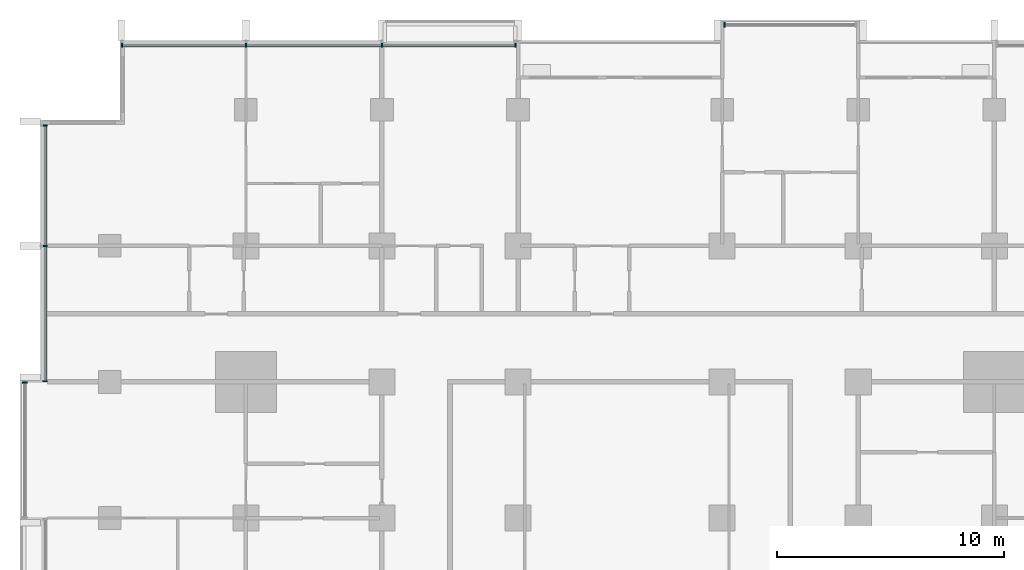
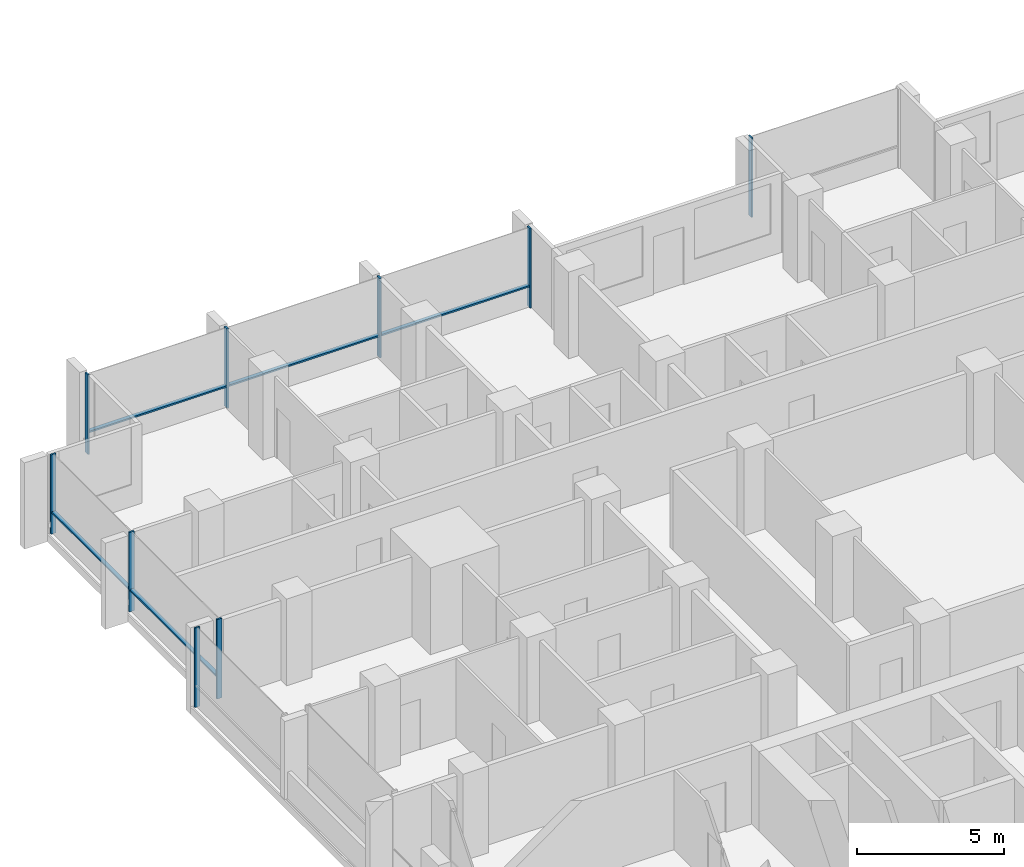
# One storey, part 4 of 19: 14 members, 4 elements without a shape of their own.
"""IFC4 building model written with IfcOpenShell, lengths in metres."""

from ifc_helpers import new_model, si_unit, direction, frame, origin, origin_2d, place, context, subcontext, project, spatial, rectangle, extrude, material, material_profile, profile_set, type_object, element, aggregate, save


model = new_model("IFC4")

# Units and contexts
model_context = context("Model", 3, precision=1e-05, world=origin(), true_north=direction((0.0, 1.0)))
body_context = subcontext(model_context, "Body", "Model", "MODEL_VIEW")
ifc_project = project(units=[si_unit("LENGTHUNIT", "METRE"), si_unit("AREAUNIT", "SQUARE_METRE"), si_unit("VOLUMEUNIT", "CUBIC_METRE"), si_unit("PLANEANGLEUNIT", "RADIAN"), si_unit("MASSUNIT", "GRAM", prefix="KILO")], contexts=[model_context])

# Site, building, storey
site_placement = place(None, origin())
site = spatial("IfcSite", under=ifc_project, at=site_placement, CompositionType="ELEMENT")
building_placement = place(site_placement, origin())
building = spatial("IfcBuilding", under=site, at=building_placement, Name="Finial Court Residences", CompositionType="ELEMENT")
storey_placement = place(building_placement, frame((0.0, 0.0, 88.300048828125)))
storey = spatial("IfcBuildingStorey", under=building, at=storey_placement, Name="L21", CompositionType="ELEMENT", Elevation=88.300048828125)

# Curtain wall, members
ifc_material = material(Name="Bronze anodised aluminium", Category="aluminium")
curtain_wall_type = type_object("IfcCurtainWallType", Name="Unitised curtain wall, lower and middle zones", PredefinedType="NOTDEFINED", material=ifc_material)
curtain_wall_1_placement = place(storey_placement, origin())
curtain_wall_1 = element("IfcCurtainWall", 1, at=curtain_wall_1_placement, inside=storey, type_object=curtain_wall_type, Name="E-L21-CW-N1", PredefinedType="NOTDEFINED")
ifc_material_profile_1 = material_profile(ifc_material, rectangle(XDim=0.199951171875, YDim=0.06494140625, at=origin_2d()), Name="CW1 mullion 65 x 200")
ifc_profile_set_1 = profile_set([ifc_material_profile_1], Name="Bronze anodised aluminium")
member_type_1 = type_object("IfcMemberType", Name="CW1 mullion 65 x 200", PredefinedType="MULLION", material=ifc_profile_set_1)
member_1_placement = place(storey_placement, frame((-21.967529296875, 22.35009765625, 0.0), z_axis=(0.0, 0.0, 1.0), x_axis=(0.0, 1.0, 0.0)))
member_1 = element("IfcMember", 2, at=member_1_placement, type_object=member_type_1, Name="CW1 mullion 1", PredefinedType="MULLION", context=body_context, shape_type="SweptSolid", body=[
    extrude(rectangle(XDim=0.199951171875, YDim=0.06494140625, at=origin_2d()), origin(), (0.0, 0.0, 1.0), 3.300048828125),
])
member_2_placement = place(storey_placement, frame((-16.5, 22.35009765625, 0.0), z_axis=(0.0, 0.0, 1.0), x_axis=(0.0, 1.0, 0.0)))
member_2 = element("IfcMember", 3, at=member_2_placement, type_object=member_type_1, Name="CW1 mullion 2", PredefinedType="MULLION", context=body_context, shape_type="SweptSolid", body=[
    extrude(rectangle(XDim=0.199951171875, YDim=0.06494140625, at=origin_2d()), origin(), (0.0, 0.0, 1.0), 3.300048828125),
])
member_3_placement = place(storey_placement, frame((-10.5, 22.35009765625, 0.0), z_axis=(0.0, 0.0, 1.0), x_axis=(0.0, 1.0, 0.0)))
member_3 = element("IfcMember", 4, at=member_3_placement, type_object=member_type_1, Name="CW1 mullion 3", PredefinedType="MULLION", context=body_context, shape_type="SweptSolid", body=[
    extrude(rectangle(XDim=0.199951171875, YDim=0.06494140625, at=origin_2d()), origin(), (0.0, 0.0, 1.0), 3.300048828125),
])
member_4_placement = place(storey_placement, frame((-4.607421875, 22.35009765625, 0.0), z_axis=(0.0, 0.0, 1.0), x_axis=(0.0, 1.0, 0.0)))
member_4 = element("IfcMember", 5, at=member_4_placement, type_object=member_type_1, Name="CW1 mullion 4", PredefinedType="MULLION", context=body_context, shape_type="SweptSolid", body=[
    extrude(rectangle(XDim=0.199951171875, YDim=0.06494140625, at=origin_2d()), origin(), (0.0, 0.0, 1.0), 3.300048828125),
])

# Curtain wall, member
curtain_wall_2_placement = place(storey_placement, origin())
curtain_wall_2 = element("IfcCurtainWall", 6, at=curtain_wall_2_placement, inside=storey, type_object=curtain_wall_type, Name="E-L21-CW-N2", PredefinedType="NOTDEFINED")
member_5_placement = place(storey_placement, frame((4.607421875, 23.25, 0.0), z_axis=(0.0, 0.0, 1.0), x_axis=(0.0, 1.0, 0.0)))
member_5 = element("IfcMember", 7, at=member_5_placement, type_object=member_type_1, Name="CW1 mullion 1", PredefinedType="MULLION", context=body_context, shape_type="SweptSolid", body=[
    extrude(rectangle(XDim=0.199951171875, YDim=0.06494140625, at=origin_2d()), origin(), (0.0, 0.0, 1.0), 3.300048828125),
])
aggregate(curtain_wall_2, [member_5])

curtain_wall_3_placement = place(storey_placement, origin())
curtain_wall_3 = element("IfcCurtainWall", 8, at=curtain_wall_3_placement, inside=storey, type_object=curtain_wall_type, Name="E-L21-CW-W12", PredefinedType="NOTDEFINED")
member_6_placement = place(storey_placement, frame((-26.25, 7.467529296875, 0.0), z_axis=(0.0, 0.0, 1.0), x_axis=(-1.0, 0.0, 0.0)))
member_6 = element("IfcMember", 9, at=member_6_placement, type_object=member_type_1, Name="CW1 mullion 2", PredefinedType="MULLION", context=body_context, shape_type="SweptSolid", body=[
    extrude(rectangle(XDim=0.199951171875, YDim=0.06494140625, at=origin_2d()), origin(), (0.0, 0.0, 1.0), 3.300048828125),
])
aggregate(curtain_wall_3, [member_6])

# Curtain wall, members
curtain_wall_4_placement = place(storey_placement, origin())
curtain_wall_4 = element("IfcCurtainWall", 10, at=curtain_wall_4_placement, inside=storey, type_object=curtain_wall_type, Name="E-L21-CW-W13", PredefinedType="NOTDEFINED")
member_7_placement = place(storey_placement, frame((-25.35009765625, 7.532470703125, 0.0), z_axis=(0.0, 0.0, 1.0), x_axis=(-1.0, 0.0, 0.0)))
member_7 = element("IfcMember", 11, at=member_7_placement, type_object=member_type_1, Name="CW1 mullion 1", PredefinedType="MULLION", context=body_context, shape_type="SweptSolid", body=[
    extrude(rectangle(XDim=0.199951171875, YDim=0.06494140625, at=origin_2d()), origin(), (0.0, 0.0, 1.0), 3.300048828125),
])
member_8_placement = place(storey_placement, frame((-25.35009765625, 13.5, 0.0), z_axis=(0.0, 0.0, 1.0), x_axis=(-1.0, 0.0, 0.0)))
member_8 = element("IfcMember", 12, at=member_8_placement, type_object=member_type_1, Name="CW1 mullion 2", PredefinedType="MULLION", context=body_context, shape_type="SweptSolid", body=[
    extrude(rectangle(XDim=0.199951171875, YDim=0.06494140625, at=origin_2d()), origin(), (0.0, 0.0, 1.0), 3.300048828125),
])
member_9_placement = place(storey_placement, frame((-25.35009765625, 18.8173828125, 0.0), z_axis=(0.0, 0.0, 1.0), x_axis=(-1.0, 0.0, 0.0)))
member_9 = element("IfcMember", 13, at=member_9_placement, type_object=member_type_1, Name="CW1 mullion 3", PredefinedType="MULLION", context=body_context, shape_type="SweptSolid", body=[
    extrude(rectangle(XDim=0.199951171875, YDim=0.06494140625, at=origin_2d()), origin(), (0.0, 0.0, 1.0), 3.300048828125),
])

# Member
ifc_material_profile_2 = material_profile(ifc_material, rectangle(XDim=0.14990234375, YDim=0.06494140625, at=origin_2d()), Name="CW1 transom 65 x 150")
ifc_profile_set_2 = profile_set([ifc_material_profile_2], Name="Bronze anodised aluminium")
member_type_2 = type_object("IfcMemberType", Name="CW1 transom 65 x 150", PredefinedType="USERDEFINED", material=ifc_profile_set_2)
member_10_placement = place(storey_placement, frame((-21.93505859375, 22.35009765625, 0.89990234375), z_axis=(1.0, 0.0, 0.0), x_axis=(0.0, 1.0, 0.0)))
member_10 = element("IfcMember", 14, at=member_10_placement, type_object=member_type_2, Name="CW1 transom 1.1", ObjectType="TRANSOM", PredefinedType="USERDEFINED", context=body_context, shape_type="SweptSolid", body=[
    extrude(rectangle(XDim=0.14990234375, YDim=0.06494140625, at=origin_2d()), origin(), (0.0, 0.0, 1.0), 5.402587890625),
])

member_11_placement = place(storey_placement, frame((-16.467529296875, 22.35009765625, 0.89990234375), z_axis=(1.0, 0.0, 0.0), x_axis=(0.0, 1.0, 0.0)))
member_11 = element("IfcMember", 15, at=member_11_placement, type_object=member_type_2, Name="CW1 transom 2.1", ObjectType="TRANSOM", PredefinedType="USERDEFINED", context=body_context, shape_type="SweptSolid", body=[
    extrude(rectangle(XDim=0.14990234375, YDim=0.06494140625, at=origin_2d()), origin(), (0.0, 0.0, 1.0), 5.93505859375),
])

member_12_placement = place(storey_placement, frame((-10.467529296875, 22.35009765625, 0.89990234375), z_axis=(1.0, 0.0, 0.0), x_axis=(0.0, 1.0, 0.0)))
member_12 = element("IfcMember", 16, at=member_12_placement, type_object=member_type_2, Name="CW1 transom 3.1", ObjectType="TRANSOM", PredefinedType="USERDEFINED", context=body_context, shape_type="SweptSolid", body=[
    extrude(rectangle(XDim=0.14990234375, YDim=0.06494140625, at=origin_2d()), origin(), (0.0, 0.0, 1.0), 5.82763671875),
])

aggregate(curtain_wall_1, [member_1, member_2, member_3, member_4, member_10, member_11, member_12])

member_13_placement = place(storey_placement, frame((-25.35009765625, 7.56494140625, 0.89990234375), z_axis=(0.0, 1.0, 0.0), x_axis=(-1.0, 0.0, 0.0)))
member_13 = element("IfcMember", 17, at=member_13_placement, type_object=member_type_2, Name="CW1 transom 1.1", ObjectType="TRANSOM", PredefinedType="USERDEFINED", context=body_context, shape_type="SweptSolid", body=[
    extrude(rectangle(XDim=0.14990234375, YDim=0.06494140625, at=origin_2d()), origin(), (0.0, 0.0, 1.0), 5.902587890625),
])

member_14_placement = place(storey_placement, frame((-25.35009765625, 13.532470703125, 0.89990234375), z_axis=(0.0, 1.0, 0.0), x_axis=(-1.0, 0.0, 0.0)))
member_14 = element("IfcMember", 18, at=member_14_placement, type_object=member_type_2, Name="CW1 transom 2.1", ObjectType="TRANSOM", PredefinedType="USERDEFINED", context=body_context, shape_type="SweptSolid", body=[
    extrude(rectangle(XDim=0.14990234375, YDim=0.06494140625, at=origin_2d()), origin(), (0.0, 0.0, 1.0), 5.25244140625),
])

aggregate(curtain_wall_4, [member_7, member_8, member_9, member_13, member_14])

save(model, "model.ifc")
